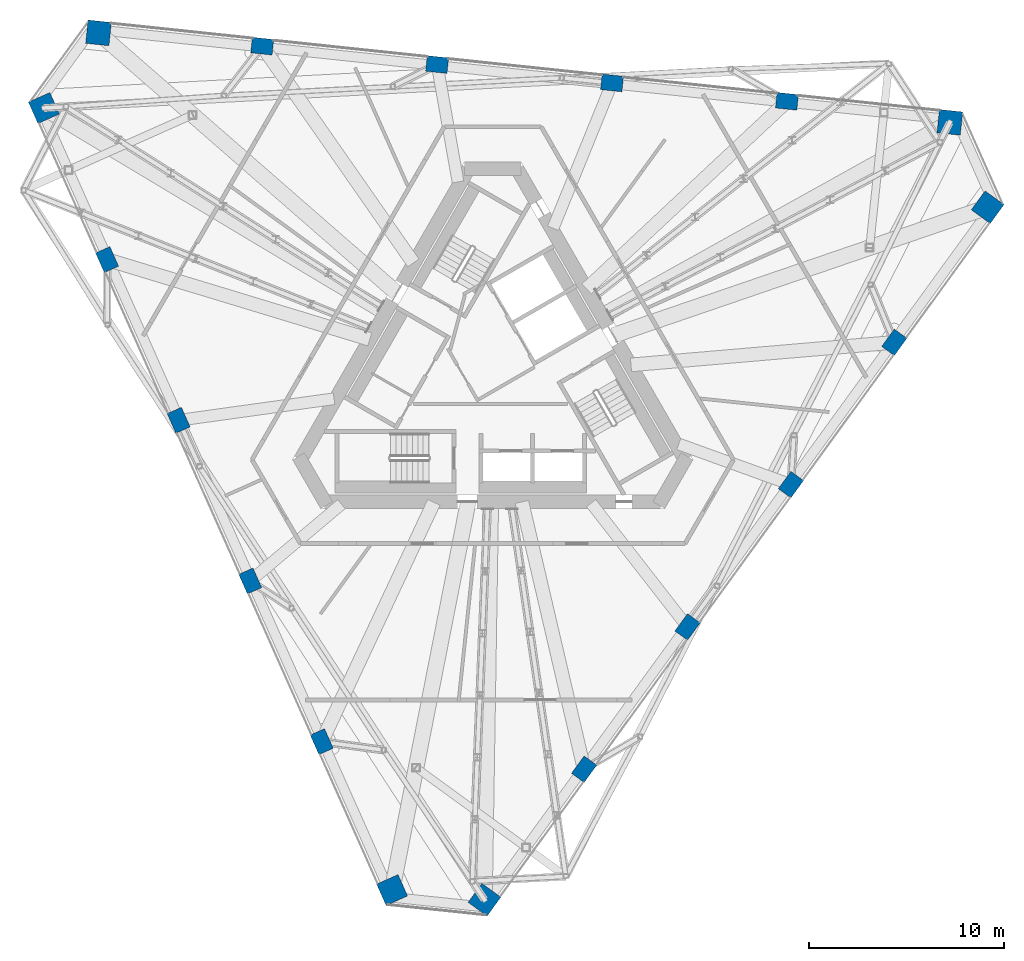
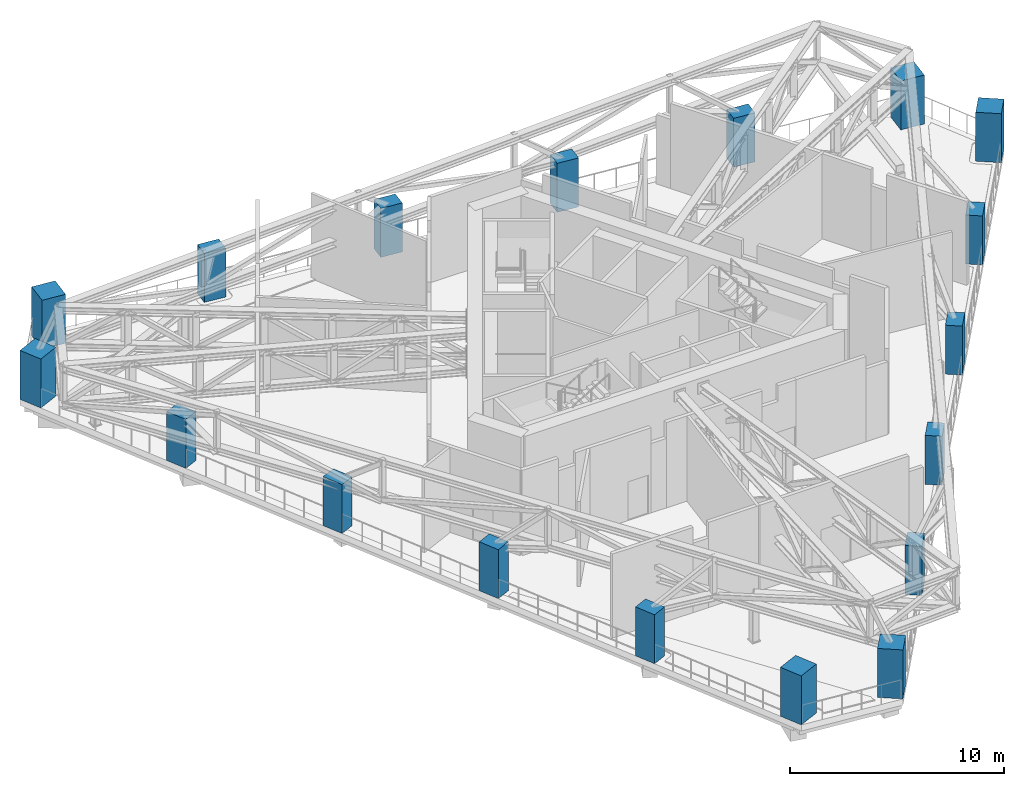
# One storey, part 1 of 20: 18 columns.
"""IFC4 building model written with IfcOpenShell, lengths in metres."""

from ifc_helpers import new_model, si_unit, direction, frame, origin, origin_2d, place, context, subcontext, project, spatial, rectangle, extrude, material, material_profile, profile_set, type_object, element, save


model = new_model("IFC4")

# Units and contexts
model_context = context("Model", 3, precision=1e-05, world=origin(), true_north=direction((0.0, 1.0)))
body_context = subcontext(model_context, "Body", "Model", "MODEL_VIEW")
ifc_project = project(units=[si_unit("LENGTHUNIT", "METRE"), si_unit("AREAUNIT", "SQUARE_METRE"), si_unit("VOLUMEUNIT", "CUBIC_METRE"), si_unit("PLANEANGLEUNIT", "RADIAN"), si_unit("MASSUNIT", "GRAM", prefix="KILO")], contexts=[model_context])

# Site, building, storey
site_placement = place(None, origin())
site = spatial("IfcSite", under=ifc_project, at=site_placement, CompositionType="ELEMENT")
building_placement = place(site_placement, origin())
building = spatial("IfcBuilding", under=site, at=building_placement, Name="Tramontana Tower", CompositionType="ELEMENT")
storey_placement = place(building_placement, frame((0.0, 0.0, 269.199951171875)))
storey = spatial("IfcBuildingStorey", under=building, at=storey_placement, Name="L63", CompositionType="ELEMENT", Elevation=269.199951171875)

# Columns
ifc_material_1 = material(Name="Concrete 55 MPa", Category="concrete")
ifc_material_profile_1 = material_profile(ifc_material_1, rectangle(XDim=1.199951171875, YDim=1.199951171875, at=origin_2d()), Name="Mega column 1200X1200 55 MPa")
ifc_profile_set_1 = profile_set([ifc_material_profile_1], Name="Concrete 55 MPa")
column_type_1 = type_object("IfcColumnType", Name="Mega column 1200X1200 55 MPa", PredefinedType="COLUMN", material=ifc_profile_set_1)
for number, where, z_axis, x_axis, name in (
    (1, (-22.98291015625, 13.758056640625, 0.0), (0.0, 0.0, 1.0), (0.406736643076, -0.913545457643, 0.0), "Mega column C6K1 L63"),
    (2, (-5.154296875, -26.28564453125, 0.0), (0.0, 0.0, 1.0), (0.406736643076, -0.913545457643, 0.0), "Mega column C6K2 L63"),
    (3, (-0.42333984375, -26.782958984375, 0.0), (0.0, 0.0, 1.0), (0.587785252292, 0.809016994375, 0.0), "Mega column C6K3 L63"),
    (4, (25.341064453125, 8.678955078125, 0.0), (0.0, 0.0, 1.0), (0.587785252292, 0.809016994375, 0.0), "Mega column C6K4 L63"),
    (5, (23.40625, 13.024658203125, 0.0), (0.0, 0.0, 1.0), (-0.994521895368, 0.104528463268, 0.0), "Mega column C6K5 L63"),
    (6, (-20.186767578125, 17.6064453125, 0.0), (0.0, 0.0, 1.0), (-0.994521895368, 0.104528463268, 0.0), "Mega column C6K6 L63"),
):
    element("IfcColumn", number, at=place(storey_placement, frame(where, z_axis=z_axis, x_axis=x_axis)), inside=storey, type_object=column_type_1, Name=name, PredefinedType="COLUMN", context=body_context, shape_type="SweptSolid", body=[
        extrude(rectangle(XDim=1.199951171875, YDim=1.199951171875, at=origin_2d()), origin(), (0.0, 0.0, 1.0), 2.787353515625),
    ])
ifc_material_2 = material(Name="Concrete 55 MPa", Category="concrete")
ifc_material_profile_2 = material_profile(ifc_material_2, rectangle(XDim=1.10009765625, YDim=0.800048828125, at=origin_2d()), Name="Pier column 1100X800 55 MPa")
ifc_profile_set_2 = profile_set([ifc_material_profile_2], Name="Concrete 55 MPa")
column_type_2 = type_object("IfcColumnType", Name="Pier column 1100X800 55 MPa", PredefinedType="COLUMN", material=ifc_profile_set_2)
for number, where, z_axis, x_axis, name in (
    (7, (-19.746337890625, 5.996826171875, 0.0), (0.0, 0.0, 1.0), (0.406736643076, -0.913545457643, 0.0), "Pier column C6F01 L63"),
    (8, (-16.0830078125, -2.231201171875, 0.0), (0.0, 0.0, 1.0), (0.406736643076, -0.913545457643, 0.0), "Pier column C6F02 L63"),
    (9, (-12.419677734375, -10.458984375, 0.0), (0.0, 0.0, 1.0), (0.406736643076, -0.913545457643, 0.0), "Pier column C6F03 L63"),
    (10, (-8.75634765625, -18.68701171875, 0.0), (0.0, 0.0, 1.0), (0.406736643076, -0.913545457643, 0.0), "Pier column C6F04 L63"),
    (11, (4.6796875, -20.099365234375, 0.0), (0.0, 0.0, 1.0), (0.587785252292, 0.809016994375, 0.0), "Pier column C6F05 L63"),
    (12, (9.9736328125, -12.812744140625, 0.0), (0.0, 0.0, 1.0), (0.587785252292, 0.809016994375, 0.0), "Pier column C6F06 L63"),
    (13, (15.267578125, -5.526123046875, 0.0), (0.0, 0.0, 1.0), (0.587785252292, 0.809016994375, 0.0), "Pier column C6F07 L63"),
    (14, (20.5615234375, 1.76025390625, 0.0), (0.0, 0.0, 1.0), (0.587785252292, 0.809016994375, 0.0), "Pier column C6F08 L63"),
    (15, (15.066650390625, 14.102294921875, 0.0), (0.0, 0.0, 1.0), (-0.994521895368, 0.104528463268, 0.0), "Pier column C6F09 L63"),
    (16, (6.109375, 15.043701171875, 0.0), (0.0, 0.0, 1.0), (-0.994521895368, 0.104528463268, 0.0), "Pier column C6F10 L63"),
    (17, (-2.847900390625, 15.9853515625, 0.0), (0.0, 0.0, 1.0), (-0.994521895368, 0.104528463268, 0.0), "Pier column C6F11 L63"),
    (18, (-11.805419921875, 16.9267578125, 0.0), (0.0, 0.0, 1.0), (-0.994521895368, 0.104528463268, 0.0), "Pier column C6F12 L63"),
):
    element("IfcColumn", number, at=place(storey_placement, frame(where, z_axis=z_axis, x_axis=x_axis)), inside=storey, type_object=column_type_2, Name=name, PredefinedType="COLUMN", context=body_context, shape_type="SweptSolid", body=[
        extrude(rectangle(XDim=1.10009765625, YDim=0.800048828125, at=origin_2d()), origin(), (0.0, 0.0, 1.0), 2.787353515625),
    ])

save(model, "model.ifc")
